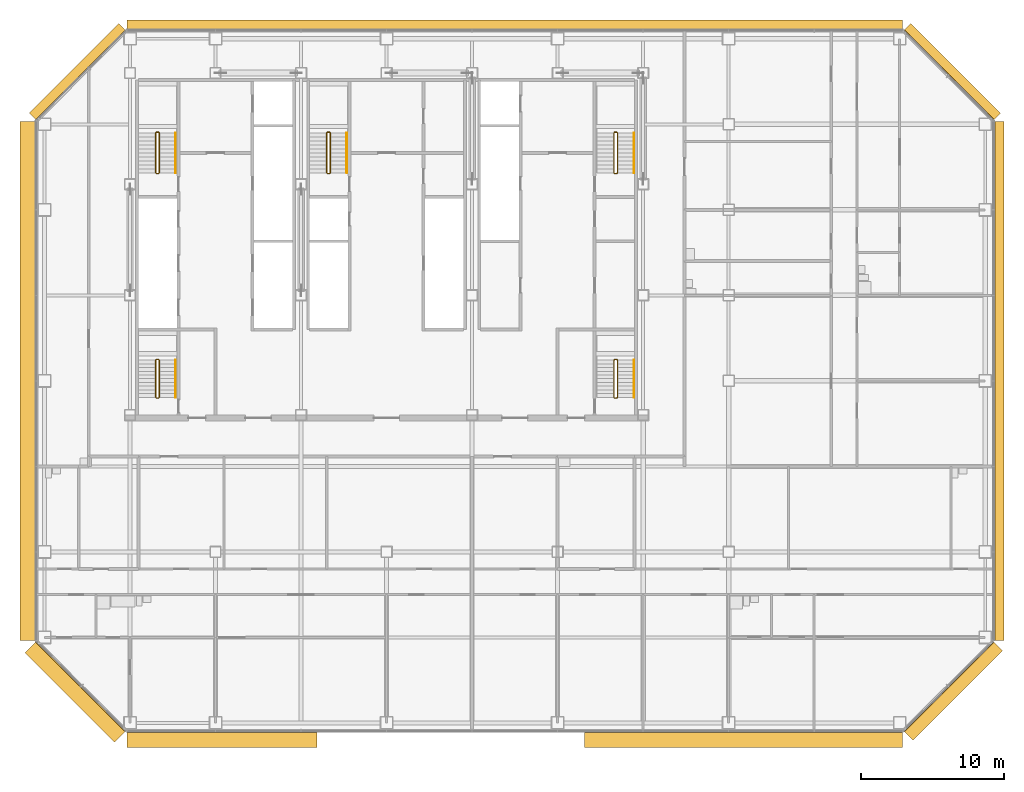
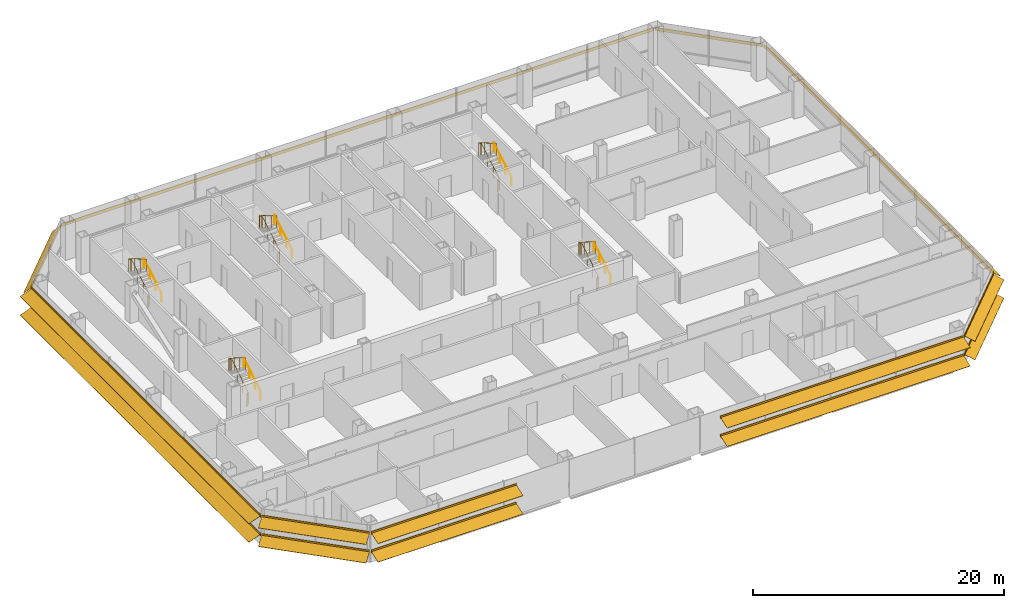
# One storey, part 26 of 27: 10 railings, 9 shading devices.
"""IFC4 building model written with IfcOpenShell, lengths in metres."""

from ifc_helpers import new_model, si_unit, direction, frame, origin, origin_2d, place, context, subcontext, project, spatial, polyline, circle, outline, composite_profile, extrude, material, type_object, element, save


model = new_model("IFC4")

# Units and contexts
model_context = context("Model", 3, precision=1e-05, world=origin(), true_north=direction((0.0, 1.0)))
body_context = subcontext(model_context, "Body", "Model", "MODEL_VIEW")
ifc_project = project(units=[si_unit("LENGTHUNIT", "METRE"), si_unit("AREAUNIT", "SQUARE_METRE"), si_unit("VOLUMEUNIT", "CUBIC_METRE"), si_unit("PLANEANGLEUNIT", "RADIAN"), si_unit("MASSUNIT", "GRAM", prefix="KILO")], contexts=[model_context])

# Site, building, storey
site_placement = place(None, origin())
site = spatial("IfcSite", under=ifc_project, at=site_placement, CompositionType="ELEMENT")
building_placement = place(site_placement, origin())
building = spatial("IfcBuilding", under=site, at=building_placement, Name="Sorahane Residences", CompositionType="ELEMENT")
storey_placement = place(building_placement, frame((0.0, 0.0, 78.60009765625)))
storey = spatial("IfcBuildingStorey", under=building, at=storey_placement, Name="L16", CompositionType="ELEMENT", Elevation=78.60009765625)

# Shading devices
ifc_material_1 = material(Name="Terracotta anodised aluminium", Category="masonry")
shading_device_type_1 = type_object("IfcShadingDeviceType", Name="Louvre sunshade blade E terracotta aluminium 700", PredefinedType="JALOUSIE", material=ifc_material_1)
shading_device_1_placement = place(storey_placement, frame((66.60009765625, 5.801513671875, 2.699951171875), z_axis=(0.0, 1.0, 0.0), x_axis=(-1.0, 0.0, 0.0)))
element("IfcShadingDevice", 1, at=shading_device_1_placement, inside=storey, type_object=shading_device_type_1, Name="Louvre sunshade blade bank E L16 E1", PredefinedType="JALOUSIE", context=body_context, shape_type="SweptSolid", body=[
    extrude(outline(polyline([(-0.719970703125, -0.49365234375), (-0.719970703125, -0.523681640625), (-0.080078125, -0.05859375), (-0.080078125, -0.14990234375), (-0.02001953125, -0.14990234375), (-0.02001953125, -0.014892578125), (-0.02001953125, 0.014892578125), (-0.02001953125, 0.14990234375), (-0.080078125, 0.14990234375), (-0.080078125, -0.028564453125), (-0.719970703125, -0.49365234375)])), origin(), (0.0, 0.0, 1.0), 36.39697265625),
])
ifc_material_2 = material(Name="Terracotta anodised aluminium", Category="masonry")
shading_device_type_2 = type_object("IfcShadingDeviceType", Name="Louvre sunshade blade N terracotta aluminium 700", PredefinedType="JALOUSIE", material=ifc_material_2)
shading_device_2_placement = place(storey_placement, frame((60.198486328125, 48.60009765625, 2.699951171875), z_axis=(-1.0, 0.0, 0.0), x_axis=(0.0, -1.0, 0.0)))
element("IfcShadingDevice", 2, at=shading_device_2_placement, inside=storey, type_object=shading_device_type_2, Name="Louvre sunshade blade bank N L16 N1", PredefinedType="JALOUSIE", context=body_context, shape_type="SweptSolid", body=[
    extrude(outline(polyline([(-0.719970703125, -0.660888671875), (-0.719970703125, -0.69091796875), (-0.080078125, -0.072998046875), (-0.080078125, -0.14990234375), (-0.02001953125, -0.14990234375), (-0.02001953125, -0.014892578125), (-0.02001953125, 0.014892578125), (-0.02001953125, 0.14990234375), (-0.080078125, 0.14990234375), (-0.080078125, -0.04296875), (-0.719970703125, -0.660888671875)])), origin(), (0.0, 0.0, 1.0), 54.39697265625),
])
ifc_material_3 = material(Name="Terracotta anodised aluminium", Category="masonry")
shading_device_type_3 = type_object("IfcShadingDeviceType", Name="Louvre sunshade blade NE terracotta aluminium 700", PredefinedType="JALOUSIE", material=ifc_material_3)
shading_device_3_placement = place(storey_placement, frame((66.564697265625, 42.283935546875, 2.699951171875), z_axis=(-0.707106781187, 0.707106781187, 0.0), x_axis=(-0.707106781187, -0.707106781187, 0.0)))
element("IfcShadingDevice", 3, at=shading_device_3_placement, inside=storey, type_object=shading_device_type_3, Name="Louvre sunshade blade bank NE L16 NE1", PredefinedType="JALOUSIE", context=body_context, shape_type="SweptSolid", body=[
    extrude(outline(polyline([(-0.719970703125, -0.572509765625), (-0.719970703125, -0.602294921875), (-0.080078125, -0.065185546875), (-0.080078125, -0.14990234375), (-0.02001953125, -0.14990234375), (-0.02001953125, -0.014892578125), (-0.02001953125, 0.014892578125), (-0.02001953125, 0.14990234375), (-0.080078125, 0.14990234375), (-0.080078125, -0.035400390625), (-0.719970703125, -0.572509765625)])), origin(), (0.0, 0.0, 1.0), 8.88232421875),
])
ifc_material_4 = material(Name="Terracotta anodised aluminium", Category="masonry")
shading_device_type_4 = type_object("IfcShadingDeviceType", Name="Louvre sunshade blade NW terracotta aluminium 700", PredefinedType="JALOUSIE", material=ifc_material_4)
shading_device_4_placement = place(storey_placement, frame((5.716064453125, 48.564697265625, 2.699951171875), z_axis=(-0.707106781187, -0.707106781187, 0.0), x_axis=(0.707106781187, -0.707106781187, 0.0)))
element("IfcShadingDevice", 4, at=shading_device_4_placement, inside=storey, type_object=shading_device_type_4, Name="Louvre sunshade blade bank NW L16 NW1", PredefinedType="JALOUSIE", context=body_context, shape_type="SweptSolid", body=[
    extrude(outline(polyline([(-0.719970703125, -0.660888671875), (-0.719970703125, -0.69091796875), (-0.080078125, -0.072998046875), (-0.080078125, -0.14990234375), (-0.02001953125, -0.14990234375), (-0.02001953125, -0.014892578125), (-0.02001953125, 0.014892578125), (-0.02001953125, 0.14990234375), (-0.080078125, 0.14990234375), (-0.080078125, -0.04296875), (-0.719970703125, -0.660888671875)])), origin(), (0.0, 0.0, 1.0), 8.88232421875),
])
ifc_material_5 = material(Name="Terracotta anodised aluminium", Category="masonry")
shading_device_type_5 = type_object("IfcShadingDeviceType", Name="Louvre sunshade blade S terracotta aluminium 1100", PredefinedType="JALOUSIE", material=ifc_material_5)
shading_device_5_placement = place(storey_placement, frame((5.801513671875, -0.60009765625, 0.89990234375), z_axis=(1.0, 0.0, 0.0), x_axis=(0.0, 1.0, 0.0)))
element("IfcShadingDevice", 5, at=shading_device_5_placement, inside=storey, type_object=shading_device_type_5, Name="Louvre sunshade blade bank S L16 S1", PredefinedType="JALOUSIE", context=body_context, shape_type="SweptSolid", body=[
    extrude(composite_profile([outline(polyline([(-1.1201171875, -0.385498046875), (-1.1201171875, -0.415283203125), (-0.080078125, -0.036865234375), (-0.080078125, -0.14990234375), (-0.02001953125, -0.14990234375), (-0.02001953125, -0.014892578125), (-0.02001953125, 0.014892578125), (-0.02001953125, 0.14990234375), (-0.080078125, 0.14990234375), (-0.080078125, -0.0068359375), (-1.1201171875, -0.385498046875)])), outline(polyline([(-1.1201171875, 1.41455078125), (-1.1201171875, 1.384521484375), (-0.080078125, 1.76318359375), (-0.080078125, 1.64990234375), (-0.02001953125, 1.64990234375), (-0.02001953125, 1.784912109375), (-0.02001953125, 1.81494140625), (-0.02001953125, 1.949951171875), (-0.080078125, 1.949951171875), (-0.080078125, 1.793212890625), (-1.1201171875, 1.41455078125)]))]), origin(), (0.0, 0.0, 1.0), 13.3291015625),
])
shading_device_6_placement = place(storey_placement, frame((37.869384765625, -0.60009765625, 0.89990234375), z_axis=(1.0, 0.0, 0.0), x_axis=(0.0, 1.0, 0.0)))
element("IfcShadingDevice", 6, at=shading_device_6_placement, inside=storey, type_object=shading_device_type_5, Name="Louvre sunshade blade bank S L16 S1 part 2", PredefinedType="JALOUSIE", context=body_context, shape_type="SweptSolid", body=[
    extrude(composite_profile([outline(polyline([(-1.1201171875, -0.385498046875), (-1.1201171875, -0.415283203125), (-0.080078125, -0.036865234375), (-0.080078125, -0.14990234375), (-0.02001953125, -0.14990234375), (-0.02001953125, -0.014892578125), (-0.02001953125, 0.014892578125), (-0.02001953125, 0.14990234375), (-0.080078125, 0.14990234375), (-0.080078125, -0.0068359375), (-1.1201171875, -0.385498046875)])), outline(polyline([(-1.1201171875, 1.41455078125), (-1.1201171875, 1.384521484375), (-0.080078125, 1.76318359375), (-0.080078125, 1.64990234375), (-0.02001953125, 1.64990234375), (-0.02001953125, 1.784912109375), (-0.02001953125, 1.81494140625), (-0.02001953125, 1.949951171875), (-0.080078125, 1.949951171875), (-0.080078125, 1.793212890625), (-1.1201171875, 1.41455078125)]))]), origin(), (0.0, 0.0, 1.0), 22.3291015625),
])
ifc_material_6 = material(Name="Terracotta anodised aluminium", Category="masonry")
shading_device_type_6 = type_object("IfcShadingDeviceType", Name="Louvre sunshade blade SE terracotta aluminium 900", PredefinedType="JALOUSIE", material=ifc_material_6)
shading_device_7_placement = place(storey_placement, frame((60.283935546875, -0.564697265625, 0.89990234375), z_axis=(0.707106781187, 0.707106781187, 0.0), x_axis=(-0.707106781187, 0.707106781187, 0.0)))
element("IfcShadingDevice", 7, at=shading_device_7_placement, inside=storey, type_object=shading_device_type_6, Name="Louvre sunshade blade bank SE L16 SE1", PredefinedType="JALOUSIE", context=body_context, shape_type="SweptSolid", body=[
    extrude(composite_profile([outline(polyline([(-0.919921875, -0.3486328125), (-0.919921875, -0.378662109375), (-0.080078125, -0.039306640625), (-0.080078125, -0.14990234375), (-0.02001953125, -0.14990234375), (-0.02001953125, -0.014892578125), (-0.02001953125, 0.014892578125), (-0.02001953125, 0.14990234375), (-0.080078125, 0.14990234375), (-0.080078125, -0.00927734375), (-0.919921875, -0.3486328125)])), outline(polyline([(-0.919921875, 1.451416015625), (-0.919921875, 1.42138671875), (-0.080078125, 1.7607421875), (-0.080078125, 1.64990234375), (-0.02001953125, 1.64990234375), (-0.02001953125, 1.784912109375), (-0.02001953125, 1.81494140625), (-0.02001953125, 1.949951171875), (-0.080078125, 1.949951171875), (-0.080078125, 1.790771484375), (-0.919921875, 1.451416015625)]))]), origin(), (0.0, 0.0, 1.0), 8.88232421875),
])
ifc_material_7 = material(Name="Terracotta anodised aluminium", Category="masonry")
shading_device_type_7 = type_object("IfcShadingDeviceType", Name="Louvre sunshade blade SW terracotta aluminium 1100", PredefinedType="JALOUSIE", material=ifc_material_7)
shading_device_8_placement = place(storey_placement, frame((-0.564697265625, 5.716064453125, 0.89990234375), z_axis=(0.707106781187, -0.707106781187, 0.0), x_axis=(0.707106781187, 0.707106781187, 0.0)))
element("IfcShadingDevice", 8, at=shading_device_8_placement, inside=storey, type_object=shading_device_type_7, Name="Louvre sunshade blade bank SW L16 SW1", PredefinedType="JALOUSIE", context=body_context, shape_type="SweptSolid", body=[
    extrude(composite_profile([outline(polyline([(-1.1201171875, -0.385498046875), (-1.1201171875, -0.415283203125), (-0.080078125, -0.036865234375), (-0.080078125, -0.14990234375), (-0.02001953125, -0.14990234375), (-0.02001953125, -0.014892578125), (-0.02001953125, 0.014892578125), (-0.02001953125, 0.14990234375), (-0.080078125, 0.14990234375), (-0.080078125, -0.0068359375), (-1.1201171875, -0.385498046875)])), outline(polyline([(-1.1201171875, 1.41455078125), (-1.1201171875, 1.384521484375), (-0.080078125, 1.76318359375), (-0.080078125, 1.64990234375), (-0.02001953125, 1.64990234375), (-0.02001953125, 1.784912109375), (-0.02001953125, 1.81494140625), (-0.02001953125, 1.949951171875), (-0.080078125, 1.949951171875), (-0.080078125, 1.793212890625), (-1.1201171875, 1.41455078125)]))]), origin(), (0.0, 0.0, 1.0), 8.88232421875),
])
ifc_material_8 = material(Name="Terracotta anodised aluminium", Category="masonry")
shading_device_type_8 = type_object("IfcShadingDeviceType", Name="Louvre sunshade blade W terracotta aluminium 1100", PredefinedType="JALOUSIE", material=ifc_material_8)
shading_device_9_placement = place(storey_placement, frame((-0.60009765625, 42.198486328125, 0.89990234375), z_axis=(0.0, -1.0, 0.0), x_axis=(1.0, 0.0, 0.0)))
element("IfcShadingDevice", 9, at=shading_device_9_placement, inside=storey, type_object=shading_device_type_8, Name="Louvre sunshade blade bank W L16 W1", PredefinedType="JALOUSIE", context=body_context, shape_type="SweptSolid", body=[
    extrude(composite_profile([outline(polyline([(-1.1201171875, -0.385498046875), (-1.1201171875, -0.415283203125), (-0.080078125, -0.036865234375), (-0.080078125, -0.14990234375), (-0.02001953125, -0.14990234375), (-0.02001953125, -0.014892578125), (-0.02001953125, 0.014892578125), (-0.02001953125, 0.14990234375), (-0.080078125, 0.14990234375), (-0.080078125, -0.0068359375), (-1.1201171875, -0.385498046875)])), outline(polyline([(-1.1201171875, 1.41455078125), (-1.1201171875, 1.384521484375), (-0.080078125, 1.76318359375), (-0.080078125, 1.64990234375), (-0.02001953125, 1.64990234375), (-0.02001953125, 1.784912109375), (-0.02001953125, 1.81494140625), (-0.02001953125, 1.949951171875), (-0.080078125, 1.949951171875), (-0.080078125, 1.793212890625), (-1.1201171875, 1.41455078125)]))]), origin(), (0.0, 0.0, 1.0), 36.39697265625),
])

# Railings
ifc_material_9 = material(Name="Steel Q355B", Category="steel")
railing_type_1 = type_object("IfcRailingType", Name="Stair guard 1200 Steel Q355B", PredefinedType="GUARDRAIL", material=ifc_material_9)
railing_1_placement = place(storey_placement, frame((7.85009765625, 38.550048828125, 0.0)))
element("IfcRailing", 10, at=railing_1_placement, inside=storey, type_object=railing_type_1, Name="L16 S1 stair guard 1", PredefinedType="GUARDRAIL", context=body_context, shape_type="SweptSolid", body=[
    extrude(circle(Radius=0.02392578125, at=origin_2d()), frame((0.0, 0.0, 1.17578125), z_axis=(1.0, 0.0, 0.0), x_axis=(0.0, 1.0, 0.0)), (0.0, 0.0, 1.0), 0.14990234375),
    extrude(circle(Radius=0.02392578125, at=origin_2d()), frame((0.14990234375, 0.0, 1.17578125), z_axis=(0.280808744504, 0.280808744504, 0.917765164963), x_axis=(-0.707106781187, 0.707106781187, 0.0)), (0.0, 0.0, 1.0), 0.17822265625),
    extrude(circle(Radius=0.02392578125, at=origin_2d()), frame((0.199951171875, 0.050048828125, 1.33935546875), z_axis=(0.0, 0.863374499697, 0.504563646405), x_axis=(-1.0, 0.0, 0.0)), (0.0, 0.0, 1.0), 3.242919921875),
    extrude(circle(Radius=0.02392578125, at=origin_2d()), frame((0.199951171875, 2.849853515625, 2.9755859375), z_axis=(-0.707106781187, 0.707106781187, 0.0), x_axis=(-0.707106781187, -0.707106781187, 0.0)), (0.0, 0.0, 1.0), 0.07080078125),
    extrude(circle(Radius=0.02392578125, at=origin_2d()), frame((0.14990234375, 2.89990234375, 2.9755859375), z_axis=(-1.0, 0.0, 0.0), x_axis=(0.0, -1.0, 0.0)), (0.0, 0.0, 1.0), 0.14990234375),
    extrude(circle(Radius=0.02392578125, at=origin_2d()), frame((0.0, 2.89990234375, 2.9755859375), z_axis=(-0.280456126637, -0.280456126637, 0.917980785237), x_axis=(0.707106781187, -0.707106781187, 0.0)), (0.0, 0.0, 1.0), 0.178466796875),
    extrude(circle(Radius=0.02392578125, at=origin_2d()), frame((-0.050048828125, 2.849853515625, 3.1396484375), z_axis=(0.0, -0.863374499697, 0.504563646405), x_axis=(1.0, 0.0, 0.0)), (0.0, 0.0, 1.0), 3.242919921875),
    extrude(circle(Radius=0.02099609375, at=origin_2d()), origin(), (0.0, 0.0, 1.0), 1.15185546875),
    extrude(circle(Radius=0.02099609375, at=origin_2d()), frame((0.14990234375, 0.0, 0.0)), (0.0, 0.0, 1.0), 1.15185546875),
    extrude(circle(Radius=0.02099609375, at=origin_2d()), frame((0.199951171875, 0.050048828125, 0.16357421875)), (0.0, 0.0, 1.0), 1.15185546875),
    extrude(circle(Radius=0.02099609375, at=origin_2d()), frame((0.199951171875, 0.9833984375, 0.708984375)), (0.0, 0.0, 1.0), 1.15185546875),
    extrude(circle(Radius=0.02099609375, at=origin_2d()), frame((0.199951171875, 1.91650390625, 1.25439453125)), (0.0, 0.0, 1.0), 1.15185546875),
    extrude(circle(Radius=0.02099609375, at=origin_2d()), frame((0.199951171875, 2.849853515625, 1.7998046875)), (0.0, 0.0, 1.0), 1.15185546875),
    extrude(circle(Radius=0.02099609375, at=origin_2d()), frame((0.14990234375, 2.89990234375, 1.7998046875)), (0.0, 0.0, 1.0), 1.15185546875),
    extrude(circle(Radius=0.02099609375, at=origin_2d()), frame((0.0, 2.89990234375, 1.7998046875)), (0.0, 0.0, 1.0), 1.15185546875),
    extrude(circle(Radius=0.02099609375, at=origin_2d()), frame((-0.050048828125, 2.849853515625, 1.963623046875)), (0.0, 0.0, 1.0), 1.15185546875),
    extrude(circle(Radius=0.02099609375, at=origin_2d()), frame((-0.050048828125, 1.91650390625, 2.509033203125)), (0.0, 0.0, 1.0), 1.15185546875),
    extrude(circle(Radius=0.02099609375, at=origin_2d()), frame((-0.050048828125, 0.9833984375, 3.054443359375)), (0.0, 0.0, 1.0), 1.15185546875),
    extrude(circle(Radius=0.02099609375, at=origin_2d()), frame((-0.050048828125, 0.050048828125, 3.599853515625)), (0.0, 0.0, 1.0), 1.15185546875),
])
railing_2_placement = place(storey_placement, frame((40.0, 38.550048828125, 0.0)))
element("IfcRailing", 11, at=railing_2_placement, inside=storey, type_object=railing_type_1, Name="L16 S2 stair guard 1", PredefinedType="GUARDRAIL", context=body_context, shape_type="SweptSolid", body=[
    extrude(circle(Radius=0.02392578125, at=origin_2d()), frame((0.0, 0.0, 1.17578125), z_axis=(1.0, 0.0, 0.0), x_axis=(0.0, 1.0, 0.0)), (0.0, 0.0, 1.0), 0.14990234375),
    extrude(circle(Radius=0.02392578125, at=origin_2d()), frame((0.14990234375, 0.0, 1.17578125), z_axis=(0.280808744504, 0.280808744504, 0.917765164963), x_axis=(-0.707106781187, 0.707106781187, 0.0)), (0.0, 0.0, 1.0), 0.17822265625),
    extrude(circle(Radius=0.02392578125, at=origin_2d()), frame((0.199951171875, 0.050048828125, 1.33935546875), z_axis=(0.0, 0.863374499697, 0.504563646405), x_axis=(-1.0, 0.0, 0.0)), (0.0, 0.0, 1.0), 3.242919921875),
    extrude(circle(Radius=0.02392578125, at=origin_2d()), frame((0.199951171875, 2.849853515625, 2.9755859375), z_axis=(-0.707106781187, 0.707106781187, 0.0), x_axis=(-0.707106781187, -0.707106781187, 0.0)), (0.0, 0.0, 1.0), 0.07080078125),
    extrude(circle(Radius=0.02392578125, at=origin_2d()), frame((0.14990234375, 2.89990234375, 2.9755859375), z_axis=(-1.0, 0.0, 0.0), x_axis=(0.0, -1.0, 0.0)), (0.0, 0.0, 1.0), 0.14990234375),
    extrude(circle(Radius=0.02392578125, at=origin_2d()), frame((0.0, 2.89990234375, 2.9755859375), z_axis=(-0.280456126637, -0.280456126637, 0.917980785237), x_axis=(0.707106781187, -0.707106781187, 0.0)), (0.0, 0.0, 1.0), 0.178466796875),
    extrude(circle(Radius=0.02392578125, at=origin_2d()), frame((-0.050048828125, 2.849853515625, 3.1396484375), z_axis=(0.0, -0.863374499697, 0.504563646405), x_axis=(1.0, 0.0, 0.0)), (0.0, 0.0, 1.0), 3.242919921875),
    extrude(circle(Radius=0.02099609375, at=origin_2d()), origin(), (0.0, 0.0, 1.0), 1.15185546875),
    extrude(circle(Radius=0.02099609375, at=origin_2d()), frame((0.14990234375, 0.0, 0.0)), (0.0, 0.0, 1.0), 1.15185546875),
    extrude(circle(Radius=0.02099609375, at=origin_2d()), frame((0.199951171875, 0.050048828125, 0.16357421875)), (0.0, 0.0, 1.0), 1.15185546875),
    extrude(circle(Radius=0.02099609375, at=origin_2d()), frame((0.199951171875, 0.9833984375, 0.708984375)), (0.0, 0.0, 1.0), 1.15185546875),
    extrude(circle(Radius=0.02099609375, at=origin_2d()), frame((0.199951171875, 1.91650390625, 1.25439453125)), (0.0, 0.0, 1.0), 1.15185546875),
    extrude(circle(Radius=0.02099609375, at=origin_2d()), frame((0.199951171875, 2.849853515625, 1.7998046875)), (0.0, 0.0, 1.0), 1.15185546875),
    extrude(circle(Radius=0.02099609375, at=origin_2d()), frame((0.14990234375, 2.89990234375, 1.7998046875)), (0.0, 0.0, 1.0), 1.15185546875),
    extrude(circle(Radius=0.02099609375, at=origin_2d()), frame((0.0, 2.89990234375, 1.7998046875)), (0.0, 0.0, 1.0), 1.15185546875),
    extrude(circle(Radius=0.02099609375, at=origin_2d()), frame((-0.050048828125, 2.849853515625, 1.963623046875)), (0.0, 0.0, 1.0), 1.15185546875),
    extrude(circle(Radius=0.02099609375, at=origin_2d()), frame((-0.050048828125, 1.91650390625, 2.509033203125)), (0.0, 0.0, 1.0), 1.15185546875),
    extrude(circle(Radius=0.02099609375, at=origin_2d()), frame((-0.050048828125, 0.9833984375, 3.054443359375)), (0.0, 0.0, 1.0), 1.15185546875),
    extrude(circle(Radius=0.02099609375, at=origin_2d()), frame((-0.050048828125, 0.050048828125, 3.599853515625)), (0.0, 0.0, 1.0), 1.15185546875),
])
railing_3_placement = place(storey_placement, frame((19.85009765625, 38.550048828125, 0.0)))
element("IfcRailing", 12, at=railing_3_placement, inside=storey, type_object=railing_type_1, Name="L16 S3 stair guard 1", PredefinedType="GUARDRAIL", context=body_context, shape_type="SweptSolid", body=[
    extrude(circle(Radius=0.02392578125, at=origin_2d()), frame((0.0, 0.0, 1.17578125), z_axis=(1.0, 0.0, 0.0), x_axis=(0.0, 1.0, 0.0)), (0.0, 0.0, 1.0), 0.14990234375),
    extrude(circle(Radius=0.02392578125, at=origin_2d()), frame((0.14990234375, 0.0, 1.17578125), z_axis=(0.280808744504, 0.280808744504, 0.917765164963), x_axis=(-0.707106781187, 0.707106781187, 0.0)), (0.0, 0.0, 1.0), 0.17822265625),
    extrude(circle(Radius=0.02392578125, at=origin_2d()), frame((0.199951171875, 0.050048828125, 1.33935546875), z_axis=(0.0, 0.863374499697, 0.504563646405), x_axis=(-1.0, 0.0, 0.0)), (0.0, 0.0, 1.0), 3.242919921875),
    extrude(circle(Radius=0.02392578125, at=origin_2d()), frame((0.199951171875, 2.849853515625, 2.9755859375), z_axis=(-0.707106781187, 0.707106781187, 0.0), x_axis=(-0.707106781187, -0.707106781187, 0.0)), (0.0, 0.0, 1.0), 0.07080078125),
    extrude(circle(Radius=0.02392578125, at=origin_2d()), frame((0.14990234375, 2.89990234375, 2.9755859375), z_axis=(-1.0, 0.0, 0.0), x_axis=(0.0, -1.0, 0.0)), (0.0, 0.0, 1.0), 0.14990234375),
    extrude(circle(Radius=0.02392578125, at=origin_2d()), frame((0.0, 2.89990234375, 2.9755859375), z_axis=(-0.280456126637, -0.280456126637, 0.917980785237), x_axis=(0.707106781187, -0.707106781187, 0.0)), (0.0, 0.0, 1.0), 0.178466796875),
    extrude(circle(Radius=0.02392578125, at=origin_2d()), frame((-0.050048828125, 2.849853515625, 3.1396484375), z_axis=(0.0, -0.863374499697, 0.504563646405), x_axis=(1.0, 0.0, 0.0)), (0.0, 0.0, 1.0), 3.242919921875),
    extrude(circle(Radius=0.02099609375, at=origin_2d()), origin(), (0.0, 0.0, 1.0), 1.15185546875),
    extrude(circle(Radius=0.02099609375, at=origin_2d()), frame((0.14990234375, 0.0, 0.0)), (0.0, 0.0, 1.0), 1.15185546875),
    extrude(circle(Radius=0.02099609375, at=origin_2d()), frame((0.199951171875, 0.050048828125, 0.16357421875)), (0.0, 0.0, 1.0), 1.15185546875),
    extrude(circle(Radius=0.02099609375, at=origin_2d()), frame((0.199951171875, 0.9833984375, 0.708984375)), (0.0, 0.0, 1.0), 1.15185546875),
    extrude(circle(Radius=0.02099609375, at=origin_2d()), frame((0.199951171875, 1.91650390625, 1.25439453125)), (0.0, 0.0, 1.0), 1.15185546875),
    extrude(circle(Radius=0.02099609375, at=origin_2d()), frame((0.199951171875, 2.849853515625, 1.7998046875)), (0.0, 0.0, 1.0), 1.15185546875),
    extrude(circle(Radius=0.02099609375, at=origin_2d()), frame((0.14990234375, 2.89990234375, 1.7998046875)), (0.0, 0.0, 1.0), 1.15185546875),
    extrude(circle(Radius=0.02099609375, at=origin_2d()), frame((0.0, 2.89990234375, 1.7998046875)), (0.0, 0.0, 1.0), 1.15185546875),
    extrude(circle(Radius=0.02099609375, at=origin_2d()), frame((-0.050048828125, 2.849853515625, 1.963623046875)), (0.0, 0.0, 1.0), 1.15185546875),
    extrude(circle(Radius=0.02099609375, at=origin_2d()), frame((-0.050048828125, 1.91650390625, 2.509033203125)), (0.0, 0.0, 1.0), 1.15185546875),
    extrude(circle(Radius=0.02099609375, at=origin_2d()), frame((-0.050048828125, 0.9833984375, 3.054443359375)), (0.0, 0.0, 1.0), 1.15185546875),
    extrude(circle(Radius=0.02099609375, at=origin_2d()), frame((-0.050048828125, 0.050048828125, 3.599853515625)), (0.0, 0.0, 1.0), 1.15185546875),
])
railing_4_placement = place(storey_placement, frame((7.85009765625, 22.800048828125, 0.0)))
element("IfcRailing", 13, at=railing_4_placement, inside=storey, type_object=railing_type_1, Name="L16 S4 stair guard 1", PredefinedType="GUARDRAIL", context=body_context, shape_type="SweptSolid", body=[
    extrude(circle(Radius=0.02392578125, at=origin_2d()), frame((0.0, 0.0, 1.17578125), z_axis=(1.0, 0.0, 0.0), x_axis=(0.0, 1.0, 0.0)), (0.0, 0.0, 1.0), 0.14990234375),
    extrude(circle(Radius=0.02392578125, at=origin_2d()), frame((0.14990234375, 0.0, 1.17578125), z_axis=(0.280808744504, 0.280808744504, 0.917765164963), x_axis=(-0.707106781187, 0.707106781187, 0.0)), (0.0, 0.0, 1.0), 0.17822265625),
    extrude(circle(Radius=0.02392578125, at=origin_2d()), frame((0.199951171875, 0.050048828125, 1.33935546875), z_axis=(0.0, 0.846337672412, 0.532646734952), x_axis=(-1.0, 0.0, 0.0)), (0.0, 0.0, 1.0), 3.07177734375),
    extrude(circle(Radius=0.02392578125, at=origin_2d()), frame((0.199951171875, 2.64990234375, 2.9755859375), z_axis=(-0.707106781187, 0.707106781187, 0.0), x_axis=(-0.707106781187, -0.707106781187, 0.0)), (0.0, 0.0, 1.0), 0.07080078125),
    extrude(circle(Radius=0.02392578125, at=origin_2d()), frame((0.14990234375, 2.699951171875, 2.9755859375), z_axis=(-1.0, 0.0, 0.0), x_axis=(0.0, -1.0, 0.0)), (0.0, 0.0, 1.0), 0.14990234375),
    extrude(circle(Radius=0.02392578125, at=origin_2d()), frame((0.0, 2.699951171875, 2.9755859375), z_axis=(-0.280456126637, -0.280456126637, 0.917980785237), x_axis=(0.707106781187, -0.707106781187, 0.0)), (0.0, 0.0, 1.0), 0.178466796875),
    extrude(circle(Radius=0.02392578125, at=origin_2d()), frame((-0.050048828125, 2.64990234375, 3.1396484375), z_axis=(0.0, -0.846337672412, 0.532646734952), x_axis=(1.0, 0.0, 0.0)), (0.0, 0.0, 1.0), 3.07177734375),
    extrude(circle(Radius=0.02099609375, at=origin_2d()), origin(), (0.0, 0.0, 1.0), 1.15185546875),
    extrude(circle(Radius=0.02099609375, at=origin_2d()), frame((0.14990234375, 0.0, 0.0)), (0.0, 0.0, 1.0), 1.15185546875),
    extrude(circle(Radius=0.02099609375, at=origin_2d()), frame((0.199951171875, 0.050048828125, 0.16357421875)), (0.0, 0.0, 1.0), 1.15185546875),
    extrude(circle(Radius=0.02099609375, at=origin_2d()), frame((0.199951171875, 0.916748046875, 0.708984375)), (0.0, 0.0, 1.0), 1.15185546875),
    extrude(circle(Radius=0.02099609375, at=origin_2d()), frame((0.199951171875, 1.783203125, 1.25439453125)), (0.0, 0.0, 1.0), 1.15185546875),
    extrude(circle(Radius=0.02099609375, at=origin_2d()), frame((0.199951171875, 2.64990234375, 1.7998046875)), (0.0, 0.0, 1.0), 1.15185546875),
    extrude(circle(Radius=0.02099609375, at=origin_2d()), frame((0.14990234375, 2.699951171875, 1.7998046875)), (0.0, 0.0, 1.0), 1.15185546875),
    extrude(circle(Radius=0.02099609375, at=origin_2d()), frame((0.0, 2.699951171875, 1.7998046875)), (0.0, 0.0, 1.0), 1.15185546875),
    extrude(circle(Radius=0.02099609375, at=origin_2d()), frame((-0.050048828125, 2.64990234375, 1.963623046875)), (0.0, 0.0, 1.0), 1.15185546875),
    extrude(circle(Radius=0.02099609375, at=origin_2d()), frame((-0.050048828125, 1.783203125, 2.509033203125)), (0.0, 0.0, 1.0), 1.15185546875),
    extrude(circle(Radius=0.02099609375, at=origin_2d()), frame((-0.050048828125, 0.916748046875, 3.054443359375)), (0.0, 0.0, 1.0), 1.15185546875),
    extrude(circle(Radius=0.02099609375, at=origin_2d()), frame((-0.050048828125, 0.050048828125, 3.599853515625)), (0.0, 0.0, 1.0), 1.15185546875),
])
railing_5_placement = place(storey_placement, frame((40.0, 22.800048828125, 0.0)))
element("IfcRailing", 14, at=railing_5_placement, inside=storey, type_object=railing_type_1, Name="L16 S5 stair guard 1", PredefinedType="GUARDRAIL", context=body_context, shape_type="SweptSolid", body=[
    extrude(circle(Radius=0.02392578125, at=origin_2d()), frame((0.0, 0.0, 1.17578125), z_axis=(1.0, 0.0, 0.0), x_axis=(0.0, 1.0, 0.0)), (0.0, 0.0, 1.0), 0.14990234375),
    extrude(circle(Radius=0.02392578125, at=origin_2d()), frame((0.14990234375, 0.0, 1.17578125), z_axis=(0.280808744504, 0.280808744504, 0.917765164963), x_axis=(-0.707106781187, 0.707106781187, 0.0)), (0.0, 0.0, 1.0), 0.17822265625),
    extrude(circle(Radius=0.02392578125, at=origin_2d()), frame((0.199951171875, 0.050048828125, 1.33935546875), z_axis=(0.0, 0.846337672412, 0.532646734952), x_axis=(-1.0, 0.0, 0.0)), (0.0, 0.0, 1.0), 3.07177734375),
    extrude(circle(Radius=0.02392578125, at=origin_2d()), frame((0.199951171875, 2.64990234375, 2.9755859375), z_axis=(-0.707106781187, 0.707106781187, 0.0), x_axis=(-0.707106781187, -0.707106781187, 0.0)), (0.0, 0.0, 1.0), 0.07080078125),
    extrude(circle(Radius=0.02392578125, at=origin_2d()), frame((0.14990234375, 2.699951171875, 2.9755859375), z_axis=(-1.0, 0.0, 0.0), x_axis=(0.0, -1.0, 0.0)), (0.0, 0.0, 1.0), 0.14990234375),
    extrude(circle(Radius=0.02392578125, at=origin_2d()), frame((0.0, 2.699951171875, 2.9755859375), z_axis=(-0.280456126637, -0.280456126637, 0.917980785237), x_axis=(0.707106781187, -0.707106781187, 0.0)), (0.0, 0.0, 1.0), 0.178466796875),
    extrude(circle(Radius=0.02392578125, at=origin_2d()), frame((-0.050048828125, 2.64990234375, 3.1396484375), z_axis=(0.0, -0.846337672412, 0.532646734952), x_axis=(1.0, 0.0, 0.0)), (0.0, 0.0, 1.0), 3.07177734375),
    extrude(circle(Radius=0.02099609375, at=origin_2d()), origin(), (0.0, 0.0, 1.0), 1.15185546875),
    extrude(circle(Radius=0.02099609375, at=origin_2d()), frame((0.14990234375, 0.0, 0.0)), (0.0, 0.0, 1.0), 1.15185546875),
    extrude(circle(Radius=0.02099609375, at=origin_2d()), frame((0.199951171875, 0.050048828125, 0.16357421875)), (0.0, 0.0, 1.0), 1.15185546875),
    extrude(circle(Radius=0.02099609375, at=origin_2d()), frame((0.199951171875, 0.916748046875, 0.708984375)), (0.0, 0.0, 1.0), 1.15185546875),
    extrude(circle(Radius=0.02099609375, at=origin_2d()), frame((0.199951171875, 1.783203125, 1.25439453125)), (0.0, 0.0, 1.0), 1.15185546875),
    extrude(circle(Radius=0.02099609375, at=origin_2d()), frame((0.199951171875, 2.64990234375, 1.7998046875)), (0.0, 0.0, 1.0), 1.15185546875),
    extrude(circle(Radius=0.02099609375, at=origin_2d()), frame((0.14990234375, 2.699951171875, 1.7998046875)), (0.0, 0.0, 1.0), 1.15185546875),
    extrude(circle(Radius=0.02099609375, at=origin_2d()), frame((0.0, 2.699951171875, 1.7998046875)), (0.0, 0.0, 1.0), 1.15185546875),
    extrude(circle(Radius=0.02099609375, at=origin_2d()), frame((-0.050048828125, 2.64990234375, 1.963623046875)), (0.0, 0.0, 1.0), 1.15185546875),
    extrude(circle(Radius=0.02099609375, at=origin_2d()), frame((-0.050048828125, 1.783203125, 2.509033203125)), (0.0, 0.0, 1.0), 1.15185546875),
    extrude(circle(Radius=0.02099609375, at=origin_2d()), frame((-0.050048828125, 0.916748046875, 3.054443359375)), (0.0, 0.0, 1.0), 1.15185546875),
    extrude(circle(Radius=0.02099609375, at=origin_2d()), frame((-0.050048828125, 0.050048828125, 3.599853515625)), (0.0, 0.0, 1.0), 1.15185546875),
])
ifc_material_10 = material(Name="Steel Q355B", Category="steel")
railing_type_2 = type_object("IfcRailingType", Name="Stair handrail 900 Steel Q355B", PredefinedType="HANDRAIL", material=ifc_material_10)
for number, where, name in (
    (15, (9.199951171875, 38.60009765625, 0.16357421875), "L16 S1 stair handrail 1"),
    (16, (41.35009765625, 38.60009765625, 0.16357421875), "L16 S2 stair handrail 1"),
    (17, (21.199951171875, 38.60009765625, 0.16357421875), "L16 S3 stair handrail 1"),
):
    element("IfcRailing", number, at=place(storey_placement, frame(where)), inside=storey, type_object=railing_type_2, Name=name, PredefinedType="HANDRAIL", context=body_context, shape_type="SweptSolid", body=[
        extrude(circle(Radius=0.02392578125, at=origin_2d()), frame((0.0, 0.0, 0.8759765625), z_axis=(0.0, 0.863374499697, 0.504563646405), x_axis=(-1.0, 0.0, 0.0)), (0.0, 0.0, 1.0), 3.242919921875),
        extrude(circle(Radius=0.02099609375, at=origin_2d()), origin(), (0.0, 0.0, 1.0), 0.851806640625),
        extrude(circle(Radius=0.02099609375, at=origin_2d()), frame((0.0, 0.933349609375, 0.54541015625)), (0.0, 0.0, 1.0), 0.851806640625),
        extrude(circle(Radius=0.02099609375, at=origin_2d()), frame((0.0, 1.866455078125, 1.0908203125)), (0.0, 0.0, 1.0), 0.851806640625),
        extrude(circle(Radius=0.02099609375, at=origin_2d()), frame((0.0, 2.7998046875, 1.63623046875)), (0.0, 0.0, 1.0), 0.851806640625),
    ])
for number, where, name in (
    (18, (9.199951171875, 22.85009765625, 0.16357421875), "L16 S4 stair handrail 1"),
    (19, (41.35009765625, 22.85009765625, 0.16357421875), "L16 S5 stair handrail 1"),
):
    element("IfcRailing", number, at=place(storey_placement, frame(where)), inside=storey, type_object=railing_type_2, Name=name, PredefinedType="HANDRAIL", context=body_context, shape_type="SweptSolid", body=[
        extrude(circle(Radius=0.02392578125, at=origin_2d()), frame((0.0, 0.0, 0.8759765625), z_axis=(0.0, 0.846337672412, 0.532646734952), x_axis=(-1.0, 0.0, 0.0)), (0.0, 0.0, 1.0), 3.07177734375),
        extrude(circle(Radius=0.02099609375, at=origin_2d()), origin(), (0.0, 0.0, 1.0), 0.851806640625),
        extrude(circle(Radius=0.02099609375, at=origin_2d()), frame((0.0, 0.86669921875, 0.54541015625)), (0.0, 0.0, 1.0), 0.851806640625),
        extrude(circle(Radius=0.02099609375, at=origin_2d()), frame((0.0, 1.733154296875, 1.0908203125)), (0.0, 0.0, 1.0), 0.851806640625),
        extrude(circle(Radius=0.02099609375, at=origin_2d()), frame((0.0, 2.599853515625, 1.63623046875)), (0.0, 0.0, 1.0), 0.851806640625),
    ])

save(model, "model.ifc")
